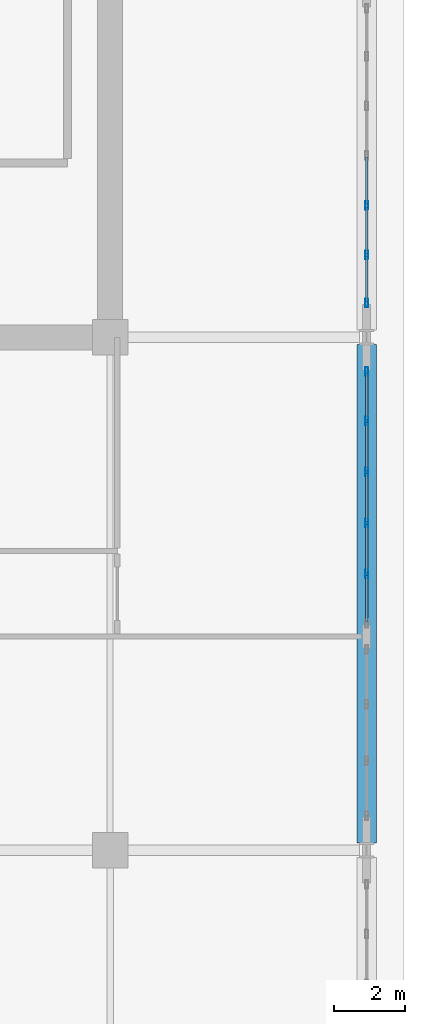
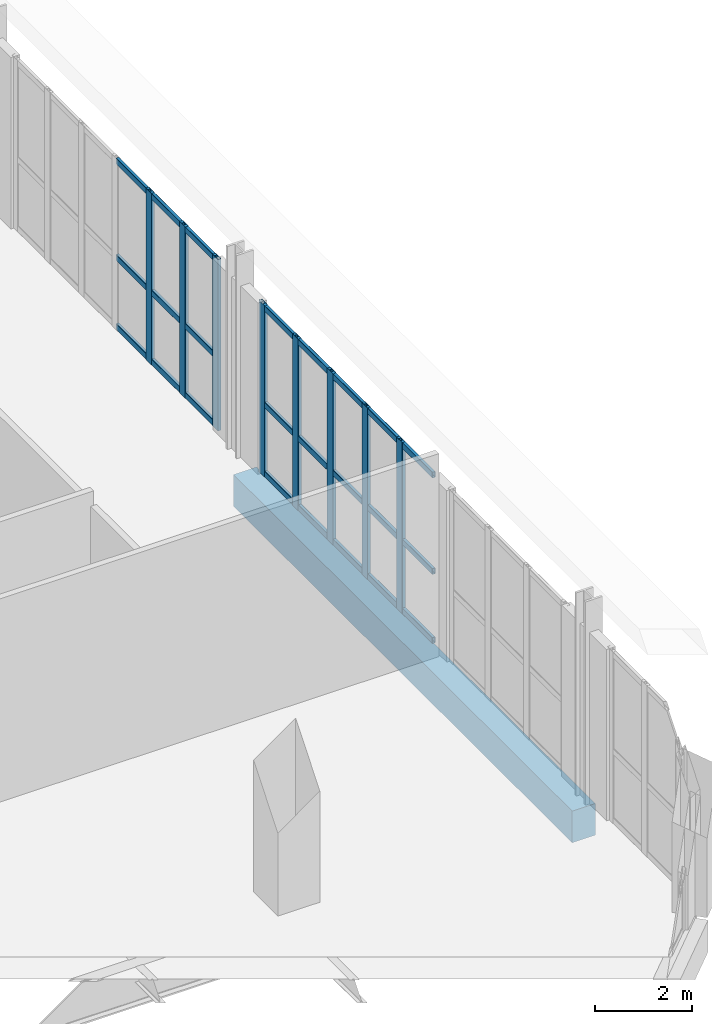
# One storey, part 15 of 26: 32 members, 1 beam, 2 elements without a shape of their own.
"""IFC4 building model written with IfcOpenShell, lengths in metres."""

import ifcopenshell
import ifcopenshell.guid

model = None  # the IFC model being written
_history = None  # IfcOwnerHistory: only IFC2X3 demands one
_inside = {}  # id of a spatial element -> (the spatial element, [elements in it])
_under = {}  # id of a project, library or spatial element -> (it, [spatial elements below it])
_declared = {}  # id of a project -> (the project, [libraries it declares])
_typed = {}  # id of a type object -> (the type object, [elements of that type])
_made_of = {}  # id of a material, layer set ... -> (it, [elements and type objects made of it])


def new_model(schema):
    """Start an empty IFC model of exactly this schema.

    Asked for "IFC4X3", IfcOpenShell would pick the latest addendum, in which some entities
    have other attributes; the version numbers below select the first issue.
    IFC2X3 requires an IfcOwnerHistory on every rooted entity: one is made here for all.
    """
    global model, _history
    if schema == "IFC4X3":
        model = ifcopenshell.file(schema_version=(4, 3, 0, 0))
    else:
        model = ifcopenshell.file(schema=schema)
    _inside.clear()
    _under.clear()
    _declared.clear()
    _typed.clear()
    _made_of.clear()
    _history = None
    if model.schema == "IFC2X3":
        org = make("IfcOrganization", Name="unknown")
        user = make(
            "IfcPersonAndOrganization",
            ThePerson=make("IfcPerson", FamilyName="unknown"),
            TheOrganization=org,
        )
        app = make(
            "IfcApplication",
            ApplicationDeveloper=org,
            Version="unknown",
            ApplicationFullName="unknown",
            ApplicationIdentifier="unknown",
        )
        _history = make(
            "IfcOwnerHistory",
            OwningUser=user,
            OwningApplication=app,
            ChangeAction="ADDED",
            CreationDate=0,
        )
    return model


def make(cls, **values):
    """One entity of the class cls with the attributes given. An attribute that is None is left unset."""
    return model.create_entity(
        cls, **{name: value for name, value in values.items() if value is not None}
    )


def rooted(cls, **values):
    """An entity with a GlobalId (a new one), such as an element, a storey or a relation."""
    return make(cls, GlobalId=ifcopenshell.guid.new(), OwnerHistory=_history, **values)


def si_unit(unit_type, name, prefix=None):
    """IfcSIUnit, for example si_unit("LENGTHUNIT", "METRE", prefix="MILLI")."""
    return make("IfcSIUnit", UnitType=unit_type, Prefix=prefix, Name=name)


def assignment(units):
    """IfcUnitAssignment: the units of a project."""
    return None if units is None else make("IfcUnitAssignment", Units=units)


def point(xyz):
    """IfcCartesianPoint."""
    return None if xyz is None else make("IfcCartesianPoint", Coordinates=xyz)


def direction(xyz):
    """IfcDirection."""
    return None if xyz is None else make("IfcDirection", DirectionRatios=xyz)


def frame(location, z_axis=None, x_axis=None):
    """IfcAxis2Placement3D, a coordinate frame: its origin and axes. An axis left out is left unset."""
    return make(
        "IfcAxis2Placement3D",
        Location=point(location),
        Axis=direction(z_axis),
        RefDirection=direction(x_axis),
    )


def frame_2d(location, x_axis=None):
    """IfcAxis2Placement2D, a coordinate frame in the plane: its origin and x axis."""
    return make(
        "IfcAxis2Placement2D", Location=point(location), RefDirection=direction(x_axis)
    )


def origin():
    """The frame at (0, 0, 0) with its axes left unset."""
    return frame((0.0, 0.0, 0.0))


def origin_2d():
    """The frame at (0, 0) in the plane with its x axis left unset."""
    return frame_2d((0.0, 0.0))


def place(relative_to, where):
    """IfcLocalPlacement: puts the frame where relative to a parent placement (None: the world)."""
    return make(
        "IfcLocalPlacement", PlacementRelTo=relative_to, RelativePlacement=where
    )


def context(
    kind, dimensions, precision=None, world=None, true_north=None, identifier=None
):
    """IfcGeometricRepresentationContext, for example the 3D "Model" context."""
    return make(
        "IfcGeometricRepresentationContext",
        ContextIdentifier=identifier,
        ContextType=kind,
        CoordinateSpaceDimension=dimensions,
        Precision=precision,
        WorldCoordinateSystem=world,
        TrueNorth=true_north,
    )


def subcontext(parent, identifier, kind, view, scale=None):
    """IfcGeometricRepresentationSubContext, for example "Body" below "Model"."""
    return make(
        "IfcGeometricRepresentationSubContext",
        ContextIdentifier=identifier,
        ContextType=kind,
        ParentContext=parent,
        TargetScale=scale,
        TargetView=view,
    )


def project(units=None, contexts=None):
    """IfcProject with its units and contexts."""
    return rooted(
        "IfcProject",
        Name="project",
        RepresentationContexts=contexts,
        UnitsInContext=assignment(units),
    )


def spatial(cls, under=None, at=None, **own):
    """A site, building, storey or space (cls), placed at a placement, below another one or the project."""
    s = rooted(cls, ObjectPlacement=at, **own)
    if under is not None:
        _under.setdefault(under.id(), (under, []))[1].append(s)
    return s


def profile(cls, at=None, kind="AREA", **sizes):
    """A parametric profile (cls). Its sizes go by their IFC names, for example OverallWidth=200.0."""
    return make(cls, ProfileType=kind, Position=at, **sizes)


def rectangle(**sizes):
    """IfcRectangleProfileDef."""
    return profile("IfcRectangleProfileDef", **sizes)


def hollow_rectangle(**sizes):
    """IfcRectangleHollowProfileDef."""
    return profile("IfcRectangleHollowProfileDef", **sizes)


def extrude(swept, where, along, depth):
    """IfcExtrudedAreaSolid: the profile swept, set in the frame where, extruded along a direction by depth."""
    return make(
        "IfcExtrudedAreaSolid",
        SweptArea=swept,
        Position=where,
        ExtrudedDirection=direction(along),
        Depth=depth,
    )


def shape(context_of_items, identifier, shape_type, items):
    """IfcShapeRepresentation: the items that make up one representation, for example the "Body"."""
    return make(
        "IfcShapeRepresentation",
        ContextOfItems=context_of_items,
        RepresentationIdentifier=identifier,
        RepresentationType=shape_type,
        Items=items,
    )


def material(Name=None, Category=None):
    """IfcMaterial."""
    return make("IfcMaterial", Name=Name, Category=Category)


def layer(
    of_material, thickness, ventilated=None, Name=None, Category=None, Priority=None
):
    """IfcMaterialLayer: one layer of a wall or slab, of a material (None: an air gap)."""
    return make(
        "IfcMaterialLayer",
        Material=of_material,
        LayerThickness=thickness,
        IsVentilated=ventilated,
        Name=Name,
        Category=Category,
        Priority=Priority,
    )


def layer_set(layers, Name=None):
    """IfcMaterialLayerSet."""
    return make("IfcMaterialLayerSet", MaterialLayers=layers, LayerSetName=Name)


def material_profile(
    of_material, cross_section, Name=None, Category=None, Priority=None
):
    """IfcMaterialProfile: a cross section and its material."""
    return make(
        "IfcMaterialProfile",
        Name=Name,
        Material=of_material,
        Profile=cross_section,
        Priority=Priority,
        Category=Category,
    )


def profile_set(profiles, Name=None, composite=None):
    """IfcMaterialProfileSet."""
    return make(
        "IfcMaterialProfileSet",
        Name=Name,
        MaterialProfiles=profiles,
        CompositeProfile=composite,
    )


def made_of(thing, what):
    """Note that an element or type object is made of a material, layer set ...; save() writes the relation."""
    if what is not None:
        _made_of.setdefault(what.id(), (what, []))[1].append(thing)
    return thing


def type_object(cls, material=None, **own):
    """A type object (cls), such as IfcWallType, which elements share."""
    return made_of(rooted(cls, **own), material)


def element(
    cls,
    number,
    at=None,
    inside=None,
    cuts=None,
    type_object=None,
    material=None,
    context=None,
    identifier="Body",
    shape_type=None,
    held_by="IfcProductDefinitionShape",
    body=None,
    shapes=None,
    **own,
):
    """One element of the class cls, such as IfcWall. Its Tag is "e" and its number.

    at: its placement. inside: the storey or other place that contains it. cuts: it is an
    opening in that element (IfcRelVoidsElement). A single representation is given by context,
    identifier, shape_type and body (its items); several are given by shapes. held_by: the class
    of the entity that holds the representations. save() writes the other relations.
    """
    e = rooted(cls, Tag="e%d" % number, ObjectPlacement=at, **own)
    if body is not None:
        shapes = [shape(context, identifier, shape_type, body)]
    if shapes is not None:
        e.Representation = make(held_by, Representations=shapes)
    if inside is not None:
        _inside.setdefault(inside.id(), (inside, []))[1].append(e)
    if cuts is not None:
        rooted(
            "IfcRelVoidsElement", RelatingBuildingElement=cuts, RelatedOpeningElement=e
        )
    if type_object is not None:
        _typed.setdefault(type_object.id(), (type_object, []))[1].append(e)
    return made_of(e, material)


def aggregate(whole, parts):
    """IfcRelAggregates: a whole, such as a stair, and the parts it consists of."""
    return rooted("IfcRelAggregates", RelatingObject=whole, RelatedObjects=parts)


def save(model, path):
    """Write the relations noted so far, then the file.

    IfcRelAggregates (storeys below a building ...), IfcRelContainedInSpatialStructure (elements
    in a storey), IfcRelDefinesByType, IfcRelAssociatesMaterial and IfcRelDeclares: one each for
    every whole, place, type object, material and project.
    """
    for whole, parts in _under.values():
        aggregate(whole, parts)
    for where, things in _inside.values():
        rooted(
            "IfcRelContainedInSpatialStructure",
            RelatedElements=things,
            RelatingStructure=where,
        )
    for kind, things in _typed.values():
        rooted("IfcRelDefinesByType", RelatedObjects=things, RelatingType=kind)
    for what, things in _made_of.values():
        rooted("IfcRelAssociatesMaterial", RelatedObjects=things, RelatingMaterial=what)
    for by, libraries in _declared.values():
        rooted("IfcRelDeclares", RelatingContext=by, RelatedDefinitions=libraries)
    model.write(path)


model = new_model("IFC4")

# Units and contexts
model_context = context("Model", 3, precision=1e-05, world=origin(), true_north=direction((0.0, 1.0)))
body_context = subcontext(model_context, "Body", "Model", "MODEL_VIEW")
ifc_project = project(units=[si_unit("LENGTHUNIT", "METRE"), si_unit("AREAUNIT", "SQUARE_METRE"), si_unit("VOLUMEUNIT", "CUBIC_METRE"), si_unit("PLANEANGLEUNIT", "RADIAN"), si_unit("MASSUNIT", "GRAM", prefix="KILO")], contexts=[model_context])

# Site, building, storey
site_placement = place(None, origin())
site = spatial("IfcSite", under=ifc_project, at=site_placement, CompositionType="ELEMENT")
building_placement = place(site_placement, origin())
building = spatial("IfcBuilding", under=site, at=building_placement, Name="Kaelvorn Grand Hotel", CompositionType="ELEMENT")
storey_placement = place(building_placement, frame((0.0, 0.0, 300.199951171875)))
storey = spatial("IfcBuildingStorey", under=building, at=storey_placement, Name="L73", CompositionType="ELEMENT", Elevation=300.199951171875)

# Beam
ifc_material_1 = material(Name="Concrete C50/60", Category="concrete")
ifc_material_profile_1 = material_profile(ifc_material_1, rectangle(XDim=0.550048828125, YDim=0.800048828125, at=origin_2d()), Name="RC SPANDREL 550x800")
ifc_profile_set_1 = profile_set([ifc_material_profile_1], Name="Concrete C50/60")
beam_type = type_object("IfcBeamType", Name="BM-SP-550x800-C50", PredefinedType="SPANDREL", material=ifc_profile_set_1)
beam_placement = place(storey_placement, frame((75.0, 15.205078125, -0.780029296875), z_axis=(0.0, 1.0, 0.0), x_axis=(-1.0, 0.0, 0.0)))
element("IfcBeam", 1, at=beam_placement, inside=storey, type_object=beam_type, Name="L73 East Perimeter Spandrel 02", PredefinedType="SPANDREL", context=body_context, shape_type="SweptSolid", body=[
    extrude(rectangle(XDim=0.550048828125, YDim=0.800048828125, at=origin_2d()), origin(), (0.0, 0.0, 1.0), 13.989990234375),
])

# Curtain wall, members
ifc_material_2 = material(Name="Anodised Aluminium", Category="aluminium")
ifc_layer = layer(ifc_material_2, 0.239990234375)
ifc_layer_set = layer_set([ifc_layer], Name="Anodised Aluminium")
curtain_wall_type = type_object("IfcCurtainWallType", Name="CW-SYS5", PredefinedType="NOTDEFINED", material=ifc_layer_set)
curtain_wall_1_placement = place(storey_placement, origin())
curtain_wall_1 = element("IfcCurtainWall", 2, at=curtain_wall_1_placement, inside=storey, type_object=curtain_wall_type, Name="L73 Unitised Curtain Wall CW5 (CW-L73-E-03)", PredefinedType="NOTDEFINED")
ifc_material_profile_2 = material_profile(ifc_material_2, hollow_rectangle(XDim=0.080078125, YDim=0.239990234375, WallThickness=0.0048828125, InnerFilletRadius=0.0048828125, OuterFilletRadius=0.010009765625, at=origin_2d()), Name="ALU MULL 80x240")
ifc_profile_set_2 = profile_set([ifc_material_profile_2], Name="Anodised Aluminium")
member_type_1 = type_object("IfcMemberType", Name="CW-SYS5-MULL", PredefinedType="MULLION", material=ifc_profile_set_2)
member_1_placement = place(storey_placement, frame((75.0, 22.751953125, 0.0), z_axis=(0.0, 0.0, 1.0), x_axis=(-1.0, 0.0, 0.0)))
member_1 = element("IfcMember", 3, at=member_1_placement, type_object=member_type_1, Name="CW5 mullion 2", PredefinedType="MULLION", context=body_context, shape_type="SweptSolid", body=[
    extrude(hollow_rectangle(XDim=0.080078125, YDim=0.239990234375, WallThickness=0.0048828125, InnerFilletRadius=0.0048828125, OuterFilletRadius=0.010009765625, at=origin_2d()), origin(), (0.0, 0.0, 1.0), 4.320068359375),
])
member_2_placement = place(storey_placement, frame((75.0, 24.18408203125, 0.0), z_axis=(0.0, 0.0, 1.0), x_axis=(-1.0, 0.0, 0.0)))
member_2 = element("IfcMember", 4, at=member_2_placement, type_object=member_type_1, Name="CW5 mullion 3", PredefinedType="MULLION", context=body_context, shape_type="SweptSolid", body=[
    extrude(hollow_rectangle(XDim=0.080078125, YDim=0.239990234375, WallThickness=0.0048828125, InnerFilletRadius=0.0048828125, OuterFilletRadius=0.010009765625, at=origin_2d()), origin(), (0.0, 0.0, 1.0), 4.320068359375),
])
member_3_placement = place(storey_placement, frame((75.0, 25.615966796875, 0.0), z_axis=(0.0, 0.0, 1.0), x_axis=(-1.0, 0.0, 0.0)))
member_3 = element("IfcMember", 5, at=member_3_placement, type_object=member_type_1, Name="CW5 mullion 4", PredefinedType="MULLION", context=body_context, shape_type="SweptSolid", body=[
    extrude(hollow_rectangle(XDim=0.080078125, YDim=0.239990234375, WallThickness=0.0048828125, InnerFilletRadius=0.0048828125, OuterFilletRadius=0.010009765625, at=origin_2d()), origin(), (0.0, 0.0, 1.0), 4.320068359375),
])
member_4_placement = place(storey_placement, frame((75.0, 27.048095703125, 0.0), z_axis=(0.0, 0.0, 1.0), x_axis=(-1.0, 0.0, 0.0)))
member_4 = element("IfcMember", 6, at=member_4_placement, type_object=member_type_1, Name="CW5 mullion 5", PredefinedType="MULLION", context=body_context, shape_type="SweptSolid", body=[
    extrude(hollow_rectangle(XDim=0.080078125, YDim=0.239990234375, WallThickness=0.0048828125, InnerFilletRadius=0.0048828125, OuterFilletRadius=0.010009765625, at=origin_2d()), origin(), (0.0, 0.0, 1.0), 4.320068359375),
])
member_5_placement = place(storey_placement, frame((75.0, 28.43994140625, 0.0), z_axis=(0.0, 0.0, 1.0), x_axis=(-1.0, 0.0, 0.0)))
member_5 = element("IfcMember", 7, at=member_5_placement, type_object=member_type_1, Name="CW5 mullion 6", PredefinedType="MULLION", context=body_context, shape_type="SweptSolid", body=[
    extrude(hollow_rectangle(XDim=0.080078125, YDim=0.239990234375, WallThickness=0.0048828125, InnerFilletRadius=0.0048828125, OuterFilletRadius=0.010009765625, at=origin_2d()), origin(), (0.0, 0.0, 1.0), 4.320068359375),
])

curtain_wall_2_placement = place(storey_placement, origin())
curtain_wall_2 = element("IfcCurtainWall", 8, at=curtain_wall_2_placement, inside=storey, type_object=curtain_wall_type, Name="L73 Unitised Curtain Wall CW5 (CW-L73-E-04)", PredefinedType="NOTDEFINED")
member_6_placement = place(storey_placement, frame((75.0, 30.360107421875, 0.0), z_axis=(0.0, 0.0, 1.0), x_axis=(-1.0, 0.0, 0.0)))
member_6 = element("IfcMember", 9, at=member_6_placement, type_object=member_type_1, Name="CW5 mullion 1", PredefinedType="MULLION", context=body_context, shape_type="SweptSolid", body=[
    extrude(hollow_rectangle(XDim=0.080078125, YDim=0.239990234375, WallThickness=0.0048828125, InnerFilletRadius=0.0048828125, OuterFilletRadius=0.010009765625, at=origin_2d()), origin(), (0.0, 0.0, 1.0), 4.320068359375),
])
member_7_placement = place(storey_placement, frame((75.0, 31.71337890625, 0.0), z_axis=(0.0, 0.0, 1.0), x_axis=(-1.0, 0.0, 0.0)))
member_7 = element("IfcMember", 10, at=member_7_placement, type_object=member_type_1, Name="CW5 mullion 2", PredefinedType="MULLION", context=body_context, shape_type="SweptSolid", body=[
    extrude(hollow_rectangle(XDim=0.080078125, YDim=0.239990234375, WallThickness=0.0048828125, InnerFilletRadius=0.0048828125, OuterFilletRadius=0.010009765625, at=origin_2d()), origin(), (0.0, 0.0, 1.0), 4.320068359375),
])
member_8_placement = place(storey_placement, frame((75.0, 33.106689453125, 0.0), z_axis=(0.0, 0.0, 1.0), x_axis=(-1.0, 0.0, 0.0)))
member_8 = element("IfcMember", 11, at=member_8_placement, type_object=member_type_1, Name="CW5 mullion 3", PredefinedType="MULLION", context=body_context, shape_type="SweptSolid", body=[
    extrude(hollow_rectangle(XDim=0.080078125, YDim=0.239990234375, WallThickness=0.0048828125, InnerFilletRadius=0.0048828125, OuterFilletRadius=0.010009765625, at=origin_2d()), origin(), (0.0, 0.0, 1.0), 4.320068359375),
])

# Member
ifc_material_profile_3 = material_profile(ifc_material_2, hollow_rectangle(XDim=0.074951171875, YDim=0.14990234375, WallThickness=0.00390625, InnerFilletRadius=0.00390625, OuterFilletRadius=0.008056640625, at=origin_2d()), Name="ALU TRAN 75x150")
ifc_profile_set_3 = profile_set([ifc_material_profile_3], Name="Anodised Aluminium")
member_type_2 = type_object("IfcMemberType", Name="CW-SYS5-TRAN", PredefinedType="NOTDEFINED", material=ifc_profile_set_3)
member_9_placement = place(storey_placement, frame((75.0, 21.39990234375, 0.074951171875), z_axis=(0.0, 1.0, 0.0), x_axis=(-1.0, 0.0, 0.0)))
member_9 = element("IfcMember", 12, at=member_9_placement, type_object=member_type_2, Name="CW5 transom 1.1", ObjectType="TRANSOM", PredefinedType="USERDEFINED", context=body_context, shape_type="SweptSolid", body=[
    extrude(hollow_rectangle(XDim=0.074951171875, YDim=0.14990234375, WallThickness=0.00390625, InnerFilletRadius=0.00390625, OuterFilletRadius=0.008056640625, at=origin_2d()), origin(), (0.0, 0.0, 1.0), 1.31201171875),
])

member_10_placement = place(storey_placement, frame((75.0, 21.39990234375, 1.814453125), z_axis=(0.0, 1.0, 0.0), x_axis=(-1.0, 0.0, 0.0)))
member_10 = element("IfcMember", 13, at=member_10_placement, type_object=member_type_2, Name="CW5 transom 1.2", ObjectType="TRANSOM", PredefinedType="USERDEFINED", context=body_context, shape_type="SweptSolid", body=[
    extrude(hollow_rectangle(XDim=0.074951171875, YDim=0.14990234375, WallThickness=0.00390625, InnerFilletRadius=0.00390625, OuterFilletRadius=0.008056640625, at=origin_2d()), origin(), (0.0, 0.0, 1.0), 1.31201171875),
])

member_11_placement = place(storey_placement, frame((75.0, 21.39990234375, 4.2451171875), z_axis=(0.0, 1.0, 0.0), x_axis=(-1.0, 0.0, 0.0)))
member_11 = element("IfcMember", 14, at=member_11_placement, type_object=member_type_2, Name="CW5 transom 1.3", ObjectType="TRANSOM", PredefinedType="USERDEFINED", context=body_context, shape_type="SweptSolid", body=[
    extrude(hollow_rectangle(XDim=0.074951171875, YDim=0.14990234375, WallThickness=0.00390625, InnerFilletRadius=0.00390625, OuterFilletRadius=0.008056640625, at=origin_2d()), origin(), (0.0, 0.0, 1.0), 1.31201171875),
])

member_12_placement = place(storey_placement, frame((75.0, 22.7919921875, 0.074951171875), z_axis=(0.0, 1.0, 0.0), x_axis=(-1.0, 0.0, 0.0)))
member_12 = element("IfcMember", 15, at=member_12_placement, type_object=member_type_2, Name="CW5 transom 2.1", ObjectType="TRANSOM", PredefinedType="USERDEFINED", context=body_context, shape_type="SweptSolid", body=[
    extrude(hollow_rectangle(XDim=0.074951171875, YDim=0.14990234375, WallThickness=0.00390625, InnerFilletRadius=0.00390625, OuterFilletRadius=0.008056640625, at=origin_2d()), origin(), (0.0, 0.0, 1.0), 1.35205078125),
])

member_13_placement = place(storey_placement, frame((75.0, 22.7919921875, 1.814453125), z_axis=(0.0, 1.0, 0.0), x_axis=(-1.0, 0.0, 0.0)))
member_13 = element("IfcMember", 16, at=member_13_placement, type_object=member_type_2, Name="CW5 transom 2.2", ObjectType="TRANSOM", PredefinedType="USERDEFINED", context=body_context, shape_type="SweptSolid", body=[
    extrude(hollow_rectangle(XDim=0.074951171875, YDim=0.14990234375, WallThickness=0.00390625, InnerFilletRadius=0.00390625, OuterFilletRadius=0.008056640625, at=origin_2d()), origin(), (0.0, 0.0, 1.0), 1.35205078125),
])

member_14_placement = place(storey_placement, frame((75.0, 22.7919921875, 4.2451171875), z_axis=(0.0, 1.0, 0.0), x_axis=(-1.0, 0.0, 0.0)))
member_14 = element("IfcMember", 17, at=member_14_placement, type_object=member_type_2, Name="CW5 transom 2.3", ObjectType="TRANSOM", PredefinedType="USERDEFINED", context=body_context, shape_type="SweptSolid", body=[
    extrude(hollow_rectangle(XDim=0.074951171875, YDim=0.14990234375, WallThickness=0.00390625, InnerFilletRadius=0.00390625, OuterFilletRadius=0.008056640625, at=origin_2d()), origin(), (0.0, 0.0, 1.0), 1.35205078125),
])

member_15_placement = place(storey_placement, frame((75.0, 24.22412109375, 0.074951171875), z_axis=(0.0, 1.0, 0.0), x_axis=(-1.0, 0.0, 0.0)))
member_15 = element("IfcMember", 18, at=member_15_placement, type_object=member_type_2, Name="CW5 transom 3.1", ObjectType="TRANSOM", PredefinedType="USERDEFINED", context=body_context, shape_type="SweptSolid", body=[
    extrude(hollow_rectangle(XDim=0.074951171875, YDim=0.14990234375, WallThickness=0.00390625, InnerFilletRadius=0.00390625, OuterFilletRadius=0.008056640625, at=origin_2d()), origin(), (0.0, 0.0, 1.0), 1.351806640625),
])

member_16_placement = place(storey_placement, frame((75.0, 24.22412109375, 1.814453125), z_axis=(0.0, 1.0, 0.0), x_axis=(-1.0, 0.0, 0.0)))
member_16 = element("IfcMember", 19, at=member_16_placement, type_object=member_type_2, Name="CW5 transom 3.2", ObjectType="TRANSOM", PredefinedType="USERDEFINED", context=body_context, shape_type="SweptSolid", body=[
    extrude(hollow_rectangle(XDim=0.074951171875, YDim=0.14990234375, WallThickness=0.00390625, InnerFilletRadius=0.00390625, OuterFilletRadius=0.008056640625, at=origin_2d()), origin(), (0.0, 0.0, 1.0), 1.351806640625),
])

member_17_placement = place(storey_placement, frame((75.0, 24.22412109375, 4.2451171875), z_axis=(0.0, 1.0, 0.0), x_axis=(-1.0, 0.0, 0.0)))
member_17 = element("IfcMember", 20, at=member_17_placement, type_object=member_type_2, Name="CW5 transom 3.3", ObjectType="TRANSOM", PredefinedType="USERDEFINED", context=body_context, shape_type="SweptSolid", body=[
    extrude(hollow_rectangle(XDim=0.074951171875, YDim=0.14990234375, WallThickness=0.00390625, InnerFilletRadius=0.00390625, OuterFilletRadius=0.008056640625, at=origin_2d()), origin(), (0.0, 0.0, 1.0), 1.351806640625),
])

member_18_placement = place(storey_placement, frame((75.0, 25.656005859375, 0.074951171875), z_axis=(0.0, 1.0, 0.0), x_axis=(-1.0, 0.0, 0.0)))
member_18 = element("IfcMember", 21, at=member_18_placement, type_object=member_type_2, Name="CW5 transom 4.1", ObjectType="TRANSOM", PredefinedType="USERDEFINED", context=body_context, shape_type="SweptSolid", body=[
    extrude(hollow_rectangle(XDim=0.074951171875, YDim=0.14990234375, WallThickness=0.00390625, InnerFilletRadius=0.00390625, OuterFilletRadius=0.008056640625, at=origin_2d()), origin(), (0.0, 0.0, 1.0), 1.35205078125),
])

member_19_placement = place(storey_placement, frame((75.0, 25.656005859375, 1.814453125), z_axis=(0.0, 1.0, 0.0), x_axis=(-1.0, 0.0, 0.0)))
member_19 = element("IfcMember", 22, at=member_19_placement, type_object=member_type_2, Name="CW5 transom 4.2", ObjectType="TRANSOM", PredefinedType="USERDEFINED", context=body_context, shape_type="SweptSolid", body=[
    extrude(hollow_rectangle(XDim=0.074951171875, YDim=0.14990234375, WallThickness=0.00390625, InnerFilletRadius=0.00390625, OuterFilletRadius=0.008056640625, at=origin_2d()), origin(), (0.0, 0.0, 1.0), 1.35205078125),
])

member_20_placement = place(storey_placement, frame((75.0, 25.656005859375, 4.2451171875), z_axis=(0.0, 1.0, 0.0), x_axis=(-1.0, 0.0, 0.0)))
member_20 = element("IfcMember", 23, at=member_20_placement, type_object=member_type_2, Name="CW5 transom 4.3", ObjectType="TRANSOM", PredefinedType="USERDEFINED", context=body_context, shape_type="SweptSolid", body=[
    extrude(hollow_rectangle(XDim=0.074951171875, YDim=0.14990234375, WallThickness=0.00390625, InnerFilletRadius=0.00390625, OuterFilletRadius=0.008056640625, at=origin_2d()), origin(), (0.0, 0.0, 1.0), 1.35205078125),
])

member_21_placement = place(storey_placement, frame((75.0, 27.087890625, 0.074951171875), z_axis=(0.0, 1.0, 0.0), x_axis=(-1.0, 0.0, 0.0)))
member_21 = element("IfcMember", 24, at=member_21_placement, type_object=member_type_2, Name="CW5 transom 5.1", ObjectType="TRANSOM", PredefinedType="USERDEFINED", context=body_context, shape_type="SweptSolid", body=[
    extrude(hollow_rectangle(XDim=0.074951171875, YDim=0.14990234375, WallThickness=0.00390625, InnerFilletRadius=0.00390625, OuterFilletRadius=0.008056640625, at=origin_2d()), origin(), (0.0, 0.0, 1.0), 1.31201171875),
])

member_22_placement = place(storey_placement, frame((75.0, 27.087890625, 1.814453125), z_axis=(0.0, 1.0, 0.0), x_axis=(-1.0, 0.0, 0.0)))
member_22 = element("IfcMember", 25, at=member_22_placement, type_object=member_type_2, Name="CW5 transom 5.2", ObjectType="TRANSOM", PredefinedType="USERDEFINED", context=body_context, shape_type="SweptSolid", body=[
    extrude(hollow_rectangle(XDim=0.074951171875, YDim=0.14990234375, WallThickness=0.00390625, InnerFilletRadius=0.00390625, OuterFilletRadius=0.008056640625, at=origin_2d()), origin(), (0.0, 0.0, 1.0), 1.31201171875),
])

member_23_placement = place(storey_placement, frame((75.0, 27.087890625, 4.2451171875), z_axis=(0.0, 1.0, 0.0), x_axis=(-1.0, 0.0, 0.0)))
member_23 = element("IfcMember", 26, at=member_23_placement, type_object=member_type_2, Name="CW5 transom 5.3", ObjectType="TRANSOM", PredefinedType="USERDEFINED", context=body_context, shape_type="SweptSolid", body=[
    extrude(hollow_rectangle(XDim=0.074951171875, YDim=0.14990234375, WallThickness=0.00390625, InnerFilletRadius=0.00390625, OuterFilletRadius=0.008056640625, at=origin_2d()), origin(), (0.0, 0.0, 1.0), 1.31201171875),
])

aggregate(curtain_wall_1, [member_1, member_2, member_3, member_4, member_5, member_9, member_10, member_11, member_12, member_13, member_14, member_15, member_16, member_17, member_18, member_19, member_20, member_21, member_22, member_23])

member_24_placement = place(storey_placement, frame((75.0, 30.39990234375, 0.074951171875), z_axis=(0.0, 1.0, 0.0), x_axis=(-1.0, 0.0, 0.0)))
member_24 = element("IfcMember", 27, at=member_24_placement, type_object=member_type_2, Name="CW5 transom 1.1", ObjectType="TRANSOM", PredefinedType="USERDEFINED", context=body_context, shape_type="SweptSolid", body=[
    extrude(hollow_rectangle(XDim=0.074951171875, YDim=0.14990234375, WallThickness=0.00390625, InnerFilletRadius=0.00390625, OuterFilletRadius=0.008056640625, at=origin_2d()), origin(), (0.0, 0.0, 1.0), 1.2734375),
])

member_25_placement = place(storey_placement, frame((75.0, 30.39990234375, 1.814453125), z_axis=(0.0, 1.0, 0.0), x_axis=(-1.0, 0.0, 0.0)))
member_25 = element("IfcMember", 28, at=member_25_placement, type_object=member_type_2, Name="CW5 transom 1.2", ObjectType="TRANSOM", PredefinedType="USERDEFINED", context=body_context, shape_type="SweptSolid", body=[
    extrude(hollow_rectangle(XDim=0.074951171875, YDim=0.14990234375, WallThickness=0.00390625, InnerFilletRadius=0.00390625, OuterFilletRadius=0.008056640625, at=origin_2d()), origin(), (0.0, 0.0, 1.0), 1.2734375),
])

member_26_placement = place(storey_placement, frame((75.0, 30.39990234375, 4.2451171875), z_axis=(0.0, 1.0, 0.0), x_axis=(-1.0, 0.0, 0.0)))
member_26 = element("IfcMember", 29, at=member_26_placement, type_object=member_type_2, Name="CW5 transom 1.3", ObjectType="TRANSOM", PredefinedType="USERDEFINED", context=body_context, shape_type="SweptSolid", body=[
    extrude(hollow_rectangle(XDim=0.074951171875, YDim=0.14990234375, WallThickness=0.00390625, InnerFilletRadius=0.00390625, OuterFilletRadius=0.008056640625, at=origin_2d()), origin(), (0.0, 0.0, 1.0), 1.2734375),
])

member_27_placement = place(storey_placement, frame((75.0, 31.75341796875, 0.074951171875), z_axis=(0.0, 1.0, 0.0), x_axis=(-1.0, 0.0, 0.0)))
member_27 = element("IfcMember", 30, at=member_27_placement, type_object=member_type_2, Name="CW5 transom 2.1", ObjectType="TRANSOM", PredefinedType="USERDEFINED", context=body_context, shape_type="SweptSolid", body=[
    extrude(hollow_rectangle(XDim=0.074951171875, YDim=0.14990234375, WallThickness=0.00390625, InnerFilletRadius=0.00390625, OuterFilletRadius=0.008056640625, at=origin_2d()), origin(), (0.0, 0.0, 1.0), 1.313232421875),
])

member_28_placement = place(storey_placement, frame((75.0, 31.75341796875, 1.814453125), z_axis=(0.0, 1.0, 0.0), x_axis=(-1.0, 0.0, 0.0)))
member_28 = element("IfcMember", 31, at=member_28_placement, type_object=member_type_2, Name="CW5 transom 2.2", ObjectType="TRANSOM", PredefinedType="USERDEFINED", context=body_context, shape_type="SweptSolid", body=[
    extrude(hollow_rectangle(XDim=0.074951171875, YDim=0.14990234375, WallThickness=0.00390625, InnerFilletRadius=0.00390625, OuterFilletRadius=0.008056640625, at=origin_2d()), origin(), (0.0, 0.0, 1.0), 1.313232421875),
])

member_29_placement = place(storey_placement, frame((75.0, 31.75341796875, 4.2451171875), z_axis=(0.0, 1.0, 0.0), x_axis=(-1.0, 0.0, 0.0)))
member_29 = element("IfcMember", 32, at=member_29_placement, type_object=member_type_2, Name="CW5 transom 2.3", ObjectType="TRANSOM", PredefinedType="USERDEFINED", context=body_context, shape_type="SweptSolid", body=[
    extrude(hollow_rectangle(XDim=0.074951171875, YDim=0.14990234375, WallThickness=0.00390625, InnerFilletRadius=0.00390625, OuterFilletRadius=0.008056640625, at=origin_2d()), origin(), (0.0, 0.0, 1.0), 1.313232421875),
])

member_30_placement = place(storey_placement, frame((75.0, 33.146728515625, 0.074951171875), z_axis=(0.0, 1.0, 0.0), x_axis=(-1.0, 0.0, 0.0)))
member_30 = element("IfcMember", 33, at=member_30_placement, type_object=member_type_2, Name="CW5 transom 3.1", ObjectType="TRANSOM", PredefinedType="USERDEFINED", context=body_context, shape_type="SweptSolid", body=[
    extrude(hollow_rectangle(XDim=0.074951171875, YDim=0.14990234375, WallThickness=0.00390625, InnerFilletRadius=0.00390625, OuterFilletRadius=0.008056640625, at=origin_2d()), origin(), (0.0, 0.0, 1.0), 1.313232421875),
])

member_31_placement = place(storey_placement, frame((75.0, 33.146728515625, 1.814453125), z_axis=(0.0, 1.0, 0.0), x_axis=(-1.0, 0.0, 0.0)))
member_31 = element("IfcMember", 34, at=member_31_placement, type_object=member_type_2, Name="CW5 transom 3.2", ObjectType="TRANSOM", PredefinedType="USERDEFINED", context=body_context, shape_type="SweptSolid", body=[
    extrude(hollow_rectangle(XDim=0.074951171875, YDim=0.14990234375, WallThickness=0.00390625, InnerFilletRadius=0.00390625, OuterFilletRadius=0.008056640625, at=origin_2d()), origin(), (0.0, 0.0, 1.0), 1.313232421875),
])

member_32_placement = place(storey_placement, frame((75.0, 33.146728515625, 4.2451171875), z_axis=(0.0, 1.0, 0.0), x_axis=(-1.0, 0.0, 0.0)))
member_32 = element("IfcMember", 35, at=member_32_placement, type_object=member_type_2, Name="CW5 transom 3.3", ObjectType="TRANSOM", PredefinedType="USERDEFINED", context=body_context, shape_type="SweptSolid", body=[
    extrude(hollow_rectangle(XDim=0.074951171875, YDim=0.14990234375, WallThickness=0.00390625, InnerFilletRadius=0.00390625, OuterFilletRadius=0.008056640625, at=origin_2d()), origin(), (0.0, 0.0, 1.0), 1.313232421875),
])

aggregate(curtain_wall_2, [member_6, member_7, member_8, member_24, member_25, member_26, member_27, member_28, member_29, member_30, member_31, member_32])

save(model, "model.ifc")
